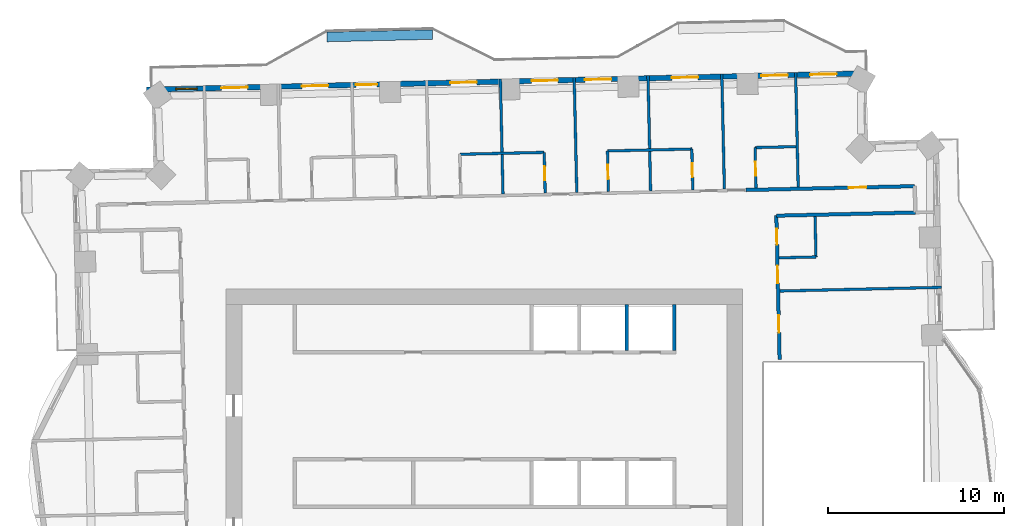
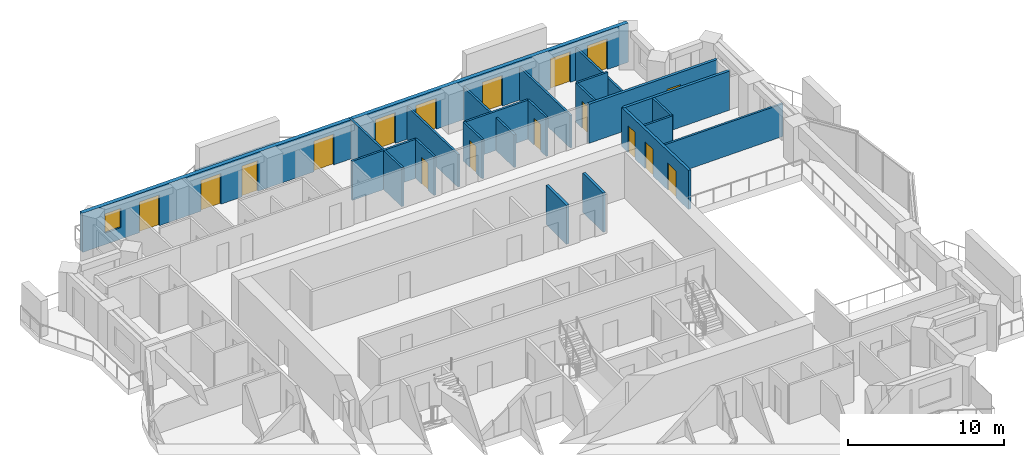
# One storey, part 11 of 16: 22 walls, 17 doors, 1 window, 18 openings.
"""IFC4 building model written with IfcOpenShell, lengths in metres."""

import ifcopenshell
import ifcopenshell.guid

model = None  # the IFC model being written
_history = None  # IfcOwnerHistory: only IFC2X3 demands one
_inside = {}  # id of a spatial element -> (the spatial element, [elements in it])
_under = {}  # id of a project, library or spatial element -> (it, [spatial elements below it])
_declared = {}  # id of a project -> (the project, [libraries it declares])
_typed = {}  # id of a type object -> (the type object, [elements of that type])
_made_of = {}  # id of a material, layer set ... -> (it, [elements and type objects made of it])


def new_model(schema):
    """Start an empty IFC model of exactly this schema.

    Asked for "IFC4X3", IfcOpenShell would pick the latest addendum, in which some entities
    have other attributes; the version numbers below select the first issue.
    IFC2X3 requires an IfcOwnerHistory on every rooted entity: one is made here for all.
    """
    global model, _history
    if schema == "IFC4X3":
        model = ifcopenshell.file(schema_version=(4, 3, 0, 0))
    else:
        model = ifcopenshell.file(schema=schema)
    _inside.clear()
    _under.clear()
    _declared.clear()
    _typed.clear()
    _made_of.clear()
    _history = None
    if model.schema == "IFC2X3":
        org = make("IfcOrganization", Name="unknown")
        user = make(
            "IfcPersonAndOrganization",
            ThePerson=make("IfcPerson", FamilyName="unknown"),
            TheOrganization=org,
        )
        app = make(
            "IfcApplication",
            ApplicationDeveloper=org,
            Version="unknown",
            ApplicationFullName="unknown",
            ApplicationIdentifier="unknown",
        )
        _history = make(
            "IfcOwnerHistory",
            OwningUser=user,
            OwningApplication=app,
            ChangeAction="ADDED",
            CreationDate=0,
        )
    return model


def make(cls, **values):
    """One entity of the class cls with the attributes given. An attribute that is None is left unset."""
    return model.create_entity(
        cls, **{name: value for name, value in values.items() if value is not None}
    )


def rooted(cls, **values):
    """An entity with a GlobalId (a new one), such as an element, a storey or a relation."""
    return make(cls, GlobalId=ifcopenshell.guid.new(), OwnerHistory=_history, **values)


def si_unit(unit_type, name, prefix=None):
    """IfcSIUnit, for example si_unit("LENGTHUNIT", "METRE", prefix="MILLI")."""
    return make("IfcSIUnit", UnitType=unit_type, Prefix=prefix, Name=name)


def assignment(units):
    """IfcUnitAssignment: the units of a project."""
    return None if units is None else make("IfcUnitAssignment", Units=units)


def point(xyz):
    """IfcCartesianPoint."""
    return None if xyz is None else make("IfcCartesianPoint", Coordinates=xyz)


def direction(xyz):
    """IfcDirection."""
    return None if xyz is None else make("IfcDirection", DirectionRatios=xyz)


def frame(location, z_axis=None, x_axis=None):
    """IfcAxis2Placement3D, a coordinate frame: its origin and axes. An axis left out is left unset."""
    return make(
        "IfcAxis2Placement3D",
        Location=point(location),
        Axis=direction(z_axis),
        RefDirection=direction(x_axis),
    )


def frame_2d(location, x_axis=None):
    """IfcAxis2Placement2D, a coordinate frame in the plane: its origin and x axis."""
    return make(
        "IfcAxis2Placement2D", Location=point(location), RefDirection=direction(x_axis)
    )


def origin():
    """The frame at (0, 0, 0) with its axes left unset."""
    return frame((0.0, 0.0, 0.0))


def place(relative_to, where):
    """IfcLocalPlacement: puts the frame where relative to a parent placement (None: the world)."""
    return make(
        "IfcLocalPlacement", PlacementRelTo=relative_to, RelativePlacement=where
    )


def context(
    kind, dimensions, precision=None, world=None, true_north=None, identifier=None
):
    """IfcGeometricRepresentationContext, for example the 3D "Model" context."""
    return make(
        "IfcGeometricRepresentationContext",
        ContextIdentifier=identifier,
        ContextType=kind,
        CoordinateSpaceDimension=dimensions,
        Precision=precision,
        WorldCoordinateSystem=world,
        TrueNorth=true_north,
    )


def subcontext(parent, identifier, kind, view, scale=None):
    """IfcGeometricRepresentationSubContext, for example "Body" below "Model"."""
    return make(
        "IfcGeometricRepresentationSubContext",
        ContextIdentifier=identifier,
        ContextType=kind,
        ParentContext=parent,
        TargetScale=scale,
        TargetView=view,
    )


def project(units=None, contexts=None):
    """IfcProject with its units and contexts."""
    return rooted(
        "IfcProject",
        Name="project",
        RepresentationContexts=contexts,
        UnitsInContext=assignment(units),
    )


def spatial(cls, under=None, at=None, **own):
    """A site, building, storey or space (cls), placed at a placement, below another one or the project."""
    s = rooted(cls, ObjectPlacement=at, **own)
    if under is not None:
        _under.setdefault(under.id(), (under, []))[1].append(s)
    return s


def profile(cls, at=None, kind="AREA", **sizes):
    """A parametric profile (cls). Its sizes go by their IFC names, for example OverallWidth=200.0."""
    return make(cls, ProfileType=kind, Position=at, **sizes)


def rectangle(**sizes):
    """IfcRectangleProfileDef."""
    return profile("IfcRectangleProfileDef", **sizes)


def extrude(swept, where, along, depth):
    """IfcExtrudedAreaSolid: the profile swept, set in the frame where, extruded along a direction by depth."""
    return make(
        "IfcExtrudedAreaSolid",
        SweptArea=swept,
        Position=where,
        ExtrudedDirection=direction(along),
        Depth=depth,
    )


def shape(context_of_items, identifier, shape_type, items):
    """IfcShapeRepresentation: the items that make up one representation, for example the "Body"."""
    return make(
        "IfcShapeRepresentation",
        ContextOfItems=context_of_items,
        RepresentationIdentifier=identifier,
        RepresentationType=shape_type,
        Items=items,
    )


def material(Name=None, Category=None):
    """IfcMaterial."""
    return make("IfcMaterial", Name=Name, Category=Category)


def layer(
    of_material, thickness, ventilated=None, Name=None, Category=None, Priority=None
):
    """IfcMaterialLayer: one layer of a wall or slab, of a material (None: an air gap)."""
    return make(
        "IfcMaterialLayer",
        Material=of_material,
        LayerThickness=thickness,
        IsVentilated=ventilated,
        Name=Name,
        Category=Category,
        Priority=Priority,
    )


def layer_set(layers, Name=None):
    """IfcMaterialLayerSet."""
    return make("IfcMaterialLayerSet", MaterialLayers=layers, LayerSetName=Name)


def made_of(thing, what):
    """Note that an element or type object is made of a material, layer set ...; save() writes the relation."""
    if what is not None:
        _made_of.setdefault(what.id(), (what, []))[1].append(thing)
    return thing


def type_object(cls, material=None, **own):
    """A type object (cls), such as IfcWallType, which elements share."""
    return made_of(rooted(cls, **own), material)


def element(
    cls,
    number,
    at=None,
    inside=None,
    cuts=None,
    type_object=None,
    material=None,
    context=None,
    identifier="Body",
    shape_type=None,
    held_by="IfcProductDefinitionShape",
    body=None,
    shapes=None,
    **own,
):
    """One element of the class cls, such as IfcWall. Its Tag is "e" and its number.

    at: its placement. inside: the storey or other place that contains it. cuts: it is an
    opening in that element (IfcRelVoidsElement). A single representation is given by context,
    identifier, shape_type and body (its items); several are given by shapes. held_by: the class
    of the entity that holds the representations. save() writes the other relations.
    """
    e = rooted(cls, Tag="e%d" % number, ObjectPlacement=at, **own)
    if body is not None:
        shapes = [shape(context, identifier, shape_type, body)]
    if shapes is not None:
        e.Representation = make(held_by, Representations=shapes)
    if inside is not None:
        _inside.setdefault(inside.id(), (inside, []))[1].append(e)
    if cuts is not None:
        rooted(
            "IfcRelVoidsElement", RelatingBuildingElement=cuts, RelatedOpeningElement=e
        )
    if type_object is not None:
        _typed.setdefault(type_object.id(), (type_object, []))[1].append(e)
    return made_of(e, material)


def fill(opening, filler):
    """IfcRelFillsElement: the door or window that sits in an opening."""
    return rooted(
        "IfcRelFillsElement",
        RelatingOpeningElement=opening,
        RelatedBuildingElement=filler,
    )


def aggregate(whole, parts):
    """IfcRelAggregates: a whole, such as a stair, and the parts it consists of."""
    return rooted("IfcRelAggregates", RelatingObject=whole, RelatedObjects=parts)


def save(model, path):
    """Write the relations noted so far, then the file.

    IfcRelAggregates (storeys below a building ...), IfcRelContainedInSpatialStructure (elements
    in a storey), IfcRelDefinesByType, IfcRelAssociatesMaterial and IfcRelDeclares: one each for
    every whole, place, type object, material and project.
    """
    for whole, parts in _under.values():
        aggregate(whole, parts)
    for where, things in _inside.values():
        rooted(
            "IfcRelContainedInSpatialStructure",
            RelatedElements=things,
            RelatingStructure=where,
        )
    for kind, things in _typed.values():
        rooted("IfcRelDefinesByType", RelatedObjects=things, RelatingType=kind)
    for what, things in _made_of.values():
        rooted("IfcRelAssociatesMaterial", RelatedObjects=things, RelatingMaterial=what)
    for by, libraries in _declared.values():
        rooted("IfcRelDeclares", RelatingContext=by, RelatedDefinitions=libraries)
    model.write(path)


model = new_model("IFC4")

# Units and contexts
model_context = context("Model", 3, precision=1e-05, world=origin(), true_north=direction((0.0, 1.0)))
body_context = subcontext(model_context, "Body", "Model", "MODEL_VIEW")
ifc_project = project(units=[si_unit("LENGTHUNIT", "METRE"), si_unit("AREAUNIT", "SQUARE_METRE"), si_unit("VOLUMEUNIT", "CUBIC_METRE"), si_unit("PLANEANGLEUNIT", "RADIAN"), si_unit("MASSUNIT", "GRAM", prefix="KILO")], contexts=[model_context])

# Site, building, storey
site_placement = place(None, origin())
site = spatial("IfcSite", under=ifc_project, at=site_placement, CompositionType="ELEMENT")
building_placement = place(site_placement, origin())
building = spatial("IfcBuilding", under=site, at=building_placement, Name="Mangrove Gate Tower", CompositionType="ELEMENT")
storey_placement = place(building_placement, frame((0.0, 0.0, 189.699951171875)))
storey = spatial("IfcBuildingStorey", under=building, at=storey_placement, Name="L48", CompositionType="ELEMENT", Elevation=189.699951171875)

# Walls
ifc_material_1 = material(Name="Concrete C60/75", Category="concrete")
ifc_layer_1 = layer(ifc_material_1, 0.199951171875)
ifc_layer_set_1 = layer_set([ifc_layer_1], Name="Core shaft wall 200 C60/75")
wall_type_1 = type_object("IfcWallType", Name="Core shaft wall 200 C60/75", PredefinedType="SHEAR", material=ifc_layer_set_1)
for number, where, z_axis, x_axis, name in (
    (1, (8.10009765625, 8.199951171875, 0.0), (0.0, 0.0, 1.0), (0.0, 1.0, 0.0), "WALL-L48-CORE-28"),
    (2, (10.800048828125, 8.199951171875, 0.0), (0.0, 0.0, 1.0), (0.0, 1.0, 0.0), "WALL-L48-CORE-29"),
):
    element("IfcWall", number, at=place(storey_placement, frame(where, z_axis=z_axis, x_axis=x_axis)), inside=storey, type_object=wall_type_1, Name=name, PredefinedType="SHEAR", context=body_context, shape_type="SweptSolid", body=[
        extrude(rectangle(XDim=2.60009765625, YDim=0.199951171875, at=frame_2d((1.300048828125, 0.0))), origin(), (0.0, 0.0, 1.0), 3.050048828125),
    ])

# Wall, openings, doors
ifc_material_2 = material(Name="Gypsum board on steel stud, EI 60", Category="steel")
ifc_layer_2 = layer(ifc_material_2, 0.199951171875)
ifc_layer_set_2 = layer_set([ifc_layer_2], Name="Corridor wall EI 60")
wall_type_2 = type_object("IfcWallType", Name="Corridor wall EI 60", PredefinedType="PARTITIONING", material=ifc_layer_set_2)
wall_1_placement = place(storey_placement, frame((16.797119140625, 7.674072265625, 0.0), z_axis=(0.0, 0.0, 1.0), x_axis=(-0.022698399288, 0.999742358145, 0.0)))
wall_1 = element("IfcWall", 3, at=wall_1_placement, inside=storey, type_object=wall_type_2, Name="WALL-L48-045", PredefinedType="PARTITIONING", context=body_context, shape_type="SweptSolid", body=[
    extrude(rectangle(XDim=8.196044921875, YDim=0.199951171875, at=frame_2d((4.09814453125, 0.0))), origin(), (0.0, 0.0, 1.0), 3.050048828125),
])
opening_1_placement = place(wall_1_placement, frame((1.5390625, 0.0, 0.0)))
opening_1 = element("IfcOpeningElement", 4, at=opening_1_placement, cuts=wall_1, Name="Opening AD", PredefinedType="OPENING", context=body_context, shape_type="SweptSolid", body=[
    extrude(rectangle(XDim=1.0, YDim=2.10009765625, at=frame_2d((0.5, 1.050048828125))), frame((0.0, 0.10986328125, 0.0), z_axis=(0.0, -1.0, 0.0), x_axis=(1.0, 0.0, 0.0)), (0.0, 0.0, 1.0), 0.219970703125),
])
opening_2_placement = place(wall_1_placement, frame((4.35009765625, 0.0, 0.0)))
opening_2 = element("IfcOpeningElement", 5, at=opening_2_placement, cuts=wall_1, Name="Opening AD", PredefinedType="OPENING", context=body_context, shape_type="SweptSolid", body=[
    extrude(rectangle(XDim=1.0, YDim=2.10009765625, at=frame_2d((0.5, 1.050048828125))), frame((0.0, 0.10986328125, 0.0), z_axis=(0.0, -1.0, 0.0), x_axis=(1.0, 0.0, 0.0)), (0.0, 0.0, 1.0), 0.219970703125),
])
opening_3_placement = place(wall_1_placement, frame((6.5458984375, 0.0, 0.0)))
opening_3 = element("IfcOpeningElement", 6, at=opening_3_placement, cuts=wall_1, Name="Opening SD", PredefinedType="OPENING", context=body_context, shape_type="SweptSolid", body=[
    extrude(rectangle(XDim=0.89990234375, YDim=2.10009765625, at=frame_2d((0.449951171875, 1.050048828125))), frame((0.0, 0.10986328125, 0.0), z_axis=(0.0, -1.0, 0.0), x_axis=(1.0, 0.0, 0.0)), (0.0, 0.0, 1.0), 0.219970703125),
])
ifc_material_3 = material(Name="Timber door leaf", Category="wood")
door_type_1 = type_object("IfcDoorType", Name="Amenity door 1000", OperationType="SINGLE_SWING_LEFT", PredefinedType="DOOR", material=ifc_material_3)
door_1_placement = place(opening_1_placement, origin())
door_1 = element("IfcDoor", 7, at=door_1_placement, inside=storey, type_object=door_type_1, Name="DOOR-L48-KIT-c3c", OperationType="SINGLE_SWING_RIGHT", OverallHeight=2.10009765625, OverallWidth=1.0, PredefinedType="DOOR", context=body_context, shape_type="SweptSolid", body=[
    extrude(rectangle(XDim=1.0, YDim=2.10009765625, at=frame_2d((0.5, 1.050048828125))), frame((0.0, 0.02490234375, 0.0), z_axis=(0.0, -1.0, 0.0), x_axis=(1.0, 0.0, 0.0)), (0.0, 0.0, 1.0), 0.050048828125),
])
fill(opening_1, door_1)
door_2_placement = place(opening_2_placement, origin())
door_2 = element("IfcDoor", 8, at=door_2_placement, inside=storey, type_object=door_type_1, Name="DOOR-L48-GAM-c3a", OperationType="SINGLE_SWING_LEFT", OverallHeight=2.10009765625, OverallWidth=1.0, PredefinedType="DOOR", context=body_context, shape_type="SweptSolid", body=[
    extrude(rectangle(XDim=1.0, YDim=2.10009765625, at=frame_2d((0.5, 1.050048828125))), frame((0.0, 0.02490234375, 0.0), z_axis=(0.0, -1.0, 0.0), x_axis=(1.0, 0.0, 0.0)), (0.0, 0.0, 1.0), 0.050048828125),
])
fill(opening_2, door_2)
ifc_material_4 = material(Name="Timber door leaf", Category="wood")
door_type_2 = type_object("IfcDoorType", Name="Service room door 900", OperationType="SINGLE_SWING_LEFT", PredefinedType="DOOR", material=ifc_material_4)
door_3_placement = place(opening_3_placement, origin())
door_3 = element("IfcDoor", 9, at=door_3_placement, inside=storey, type_object=door_type_2, Name="DOOR-L48-LIN-c3b", OperationType="SINGLE_SWING_LEFT", OverallHeight=2.10009765625, OverallWidth=0.89990234375, PredefinedType="DOOR", context=body_context, shape_type="SweptSolid", body=[
    extrude(rectangle(XDim=0.89990234375, YDim=2.10009765625, at=frame_2d((0.449951171875, 1.050048828125))), frame((0.0, 0.02490234375, 0.0), z_axis=(0.0, -1.0, 0.0), x_axis=(1.0, 0.0, 0.0)), (0.0, 0.0, 1.0), 0.050048828125),
])
fill(opening_3, door_3)

# Wall
wall_2_placement = place(storey_placement, frame((16.612060546875, 15.864013671875, 0.0), z_axis=(0.0, 0.0, 1.0), x_axis=(0.999741181744, 0.022750154412, 0.0)))
element("IfcWall", 10, at=wall_2_placement, inside=storey, type_object=wall_type_2, Name="WALL-L48-054", PredefinedType="PARTITIONING", context=body_context, shape_type="SweptSolid", body=[
    extrude(rectangle(XDim=7.908935546875, YDim=0.199951171875, at=frame_2d((3.95458984375, 0.0))), origin(), (0.0, 0.0, 1.0), 3.050048828125),
])

# Wall, opening, door
wall_3_placement = place(storey_placement, frame((14.8798828125, 17.324951171875, 0.0), z_axis=(0.0, 0.0, 1.0), x_axis=(0.999742504166, 0.022691966963, 0.0)))
wall_3 = element("IfcWall", 11, at=wall_3_placement, inside=storey, type_object=wall_type_2, Name="WALL-L48-060", PredefinedType="PARTITIONING", context=body_context, shape_type="SweptSolid", body=[
    extrude(rectangle(XDim=9.607666015625, YDim=0.199951171875, at=frame_2d((4.8037109375, 0.0))), origin(), (0.0, 0.0, 1.0), 3.050048828125),
])
opening_4_placement = place(wall_3_placement, frame((5.85009765625, 0.0, 0.0)))
opening_4 = element("IfcOpeningElement", 12, at=opening_4_placement, cuts=wall_3, Name="Opening AD", PredefinedType="OPENING", context=body_context, shape_type="SweptSolid", body=[
    extrude(rectangle(XDim=1.0, YDim=2.10009765625, at=frame_2d((0.5, 1.050048828125))), frame((0.0, 0.10986328125, 0.0), z_axis=(0.0, -1.0, 0.0), x_axis=(1.0, 0.0, 0.0)), (0.0, 0.0, 1.0), 0.219970703125),
])
door_4_placement = place(opening_4_placement, origin())
door_4 = element("IfcDoor", 13, at=door_4_placement, inside=storey, type_object=door_type_1, Name="DOOR-L48-GAM-c3b", OperationType="SINGLE_SWING_RIGHT", OverallHeight=2.10009765625, OverallWidth=1.0, PredefinedType="DOOR", context=body_context, shape_type="SweptSolid", body=[
    extrude(rectangle(XDim=1.0, YDim=2.10009765625, at=frame_2d((0.5, 1.050048828125))), frame((0.0, 0.02490234375, 0.0), z_axis=(0.0, -1.0, 0.0), x_axis=(1.0, 0.0, 0.0)), (0.0, 0.0, 1.0), 0.050048828125),
])
fill(opening_4, door_4)

# Wall, openings, doors, window
ifc_material_5 = material(Name="Limestone", Category="masonry")
ifc_layer_3 = layer(ifc_material_5, 0.0400390625, Name="Limestone cladding")
ifc_material_6 = material(Name="Ventilated air gap")
ifc_layer_4 = layer(ifc_material_6, 0.0400390625, Name="Ventilated cavity")
ifc_material_7 = material(Name="Mineral wool insulation")
ifc_layer_5 = layer(ifc_material_7, 0.06005859375, Name="Insulation")
ifc_material_8 = material(Name="Breather membrane")
ifc_layer_6 = layer(ifc_material_8, 0.001953125, Name="Breather membrane")
ifc_material_9 = material(Name="Concrete C20/25 blockwork", Category="masonry")
ifc_layer_7 = layer(ifc_material_9, 0.14990234375, Name="Blockwork backing wall")
ifc_material_10 = material(Name="Gypsum plaster")
ifc_layer_8 = layer(ifc_material_10, 0.008056640625, Name="Internal plaster")
ifc_layer_set_3 = layer_set([ifc_layer_3, ifc_layer_4, ifc_layer_5, ifc_layer_6, ifc_layer_7, ifc_layer_8], Name="External wall 300 limestone cladding")
wall_type_3 = type_object("IfcWallType", Name="External wall 300 limestone cladding", PredefinedType="SOLIDWALL", material=ifc_layer_set_3)
wall_4_placement = place(storey_placement, frame((21.589111328125, 23.958984375, 0.0), z_axis=(0.0, 0.0, 1.0), x_axis=(-0.999742668524, -0.022684724649, 0.0)))
wall_4 = element("IfcWall", 14, at=wall_4_placement, inside=storey, type_object=wall_type_3, Name="WALL-L48-N5s1", PredefinedType="SOLIDWALL", context=body_context, shape_type="SweptSolid", body=[
    extrude(rectangle(XDim=40.821533203125, YDim=0.300048828125, at=frame_2d((20.41064453125, 0.0))), origin(), (0.0, 0.0, 1.0), 3.050048828125),
])
opening_5_placement = place(wall_4_placement, frame((1.552978515625, 0.0, 0.0)))
opening_5 = element("IfcOpeningElement", 15, at=opening_5_placement, cuts=wall_4, Name="Opening BD1", PredefinedType="OPENING", context=body_context, shape_type="SweptSolid", body=[
    extrude(rectangle(XDim=1.5, YDim=2.39990234375, at=frame_2d((0.75, 1.199951171875))), frame((0.0, 0.159912109375, 0.0), z_axis=(0.0, -1.0, 0.0), x_axis=(1.0, 0.0, 0.0)), (0.0, 0.0, 1.0), 0.320068359375),
])
opening_6_placement = place(wall_4_placement, frame((4.330078125, 0.0, 0.0)))
opening_6 = element("IfcOpeningElement", 16, at=opening_6_placement, cuts=wall_4, Name="Opening BD1", PredefinedType="OPENING", context=body_context, shape_type="SweptSolid", body=[
    extrude(rectangle(XDim=1.5, YDim=2.39990234375, at=frame_2d((0.75, 1.199951171875))), frame((0.0, 0.159912109375, 0.0), z_axis=(0.0, -1.0, 0.0), x_axis=(1.0, 0.0, 0.0)), (0.0, 0.0, 1.0), 0.320068359375),
])
opening_7_placement = place(wall_4_placement, frame((9.429931640625, 0.0, 0.0)))
opening_7 = element("IfcOpeningElement", 17, at=opening_7_placement, cuts=wall_4, Name="Opening BD1", PredefinedType="OPENING", context=body_context, shape_type="SweptSolid", body=[
    extrude(rectangle(XDim=1.5, YDim=2.39990234375, at=frame_2d((0.75, 1.199951171875))), frame((0.0, 0.159912109375, 0.0), z_axis=(0.0, -1.0, 0.0), x_axis=(1.0, 0.0, 0.0)), (0.0, 0.0, 1.0), 0.320068359375),
])
opening_8_placement = place(wall_4_placement, frame((14.3701171875, 0.0, 0.0)))
opening_8 = element("IfcOpeningElement", 18, at=opening_8_placement, cuts=wall_4, Name="Opening BD1", PredefinedType="OPENING", context=body_context, shape_type="SweptSolid", body=[
    extrude(rectangle(XDim=1.5, YDim=2.39990234375, at=frame_2d((0.75, 1.199951171875))), frame((0.0, 0.159912109375, 0.0), z_axis=(0.0, -1.0, 0.0), x_axis=(1.0, 0.0, 0.0)), (0.0, 0.0, 1.0), 0.320068359375),
])
opening_9_placement = place(wall_4_placement, frame((17.409912109375, 0.0, 0.0)))
opening_9 = element("IfcOpeningElement", 19, at=opening_9_placement, cuts=wall_4, Name="Opening BD1", PredefinedType="OPENING", context=body_context, shape_type="SweptSolid", body=[
    extrude(rectangle(XDim=1.5, YDim=2.39990234375, at=frame_2d((0.75, 1.199951171875))), frame((0.0, 0.159912109375, 0.0), z_axis=(0.0, -1.0, 0.0), x_axis=(1.0, 0.0, 0.0)), (0.0, 0.0, 1.0), 0.320068359375),
])
opening_10_placement = place(wall_4_placement, frame((22.030029296875, 0.0, 0.0)))
opening_10 = element("IfcOpeningElement", 20, at=opening_10_placement, cuts=wall_4, Name="Opening BD1", PredefinedType="OPENING", context=body_context, shape_type="SweptSolid", body=[
    extrude(rectangle(XDim=1.5, YDim=2.39990234375, at=frame_2d((0.75, 1.199951171875))), frame((0.0, 0.159912109375, 0.0), z_axis=(0.0, -1.0, 0.0), x_axis=(1.0, 0.0, 0.0)), (0.0, 0.0, 1.0), 0.320068359375),
])
opening_11_placement = place(wall_4_placement, frame((27.699951171875, 0.0, 0.0)))
opening_11 = element("IfcOpeningElement", 21, at=opening_11_placement, cuts=wall_4, Name="Opening BD2", PredefinedType="OPENING", context=body_context, shape_type="SweptSolid", body=[
    extrude(rectangle(XDim=1.199951171875, YDim=2.39990234375, at=frame_2d((0.60009765625, 1.199951171875))), frame((0.0, 0.159912109375, 0.0), z_axis=(0.0, -1.0, 0.0), x_axis=(1.0, 0.0, 0.0)), (0.0, 0.0, 1.0), 0.320068359375),
])
opening_12_placement = place(wall_4_placement, frame((30.47998046875, 0.0, 0.0)))
opening_12 = element("IfcOpeningElement", 22, at=opening_12_placement, cuts=wall_4, Name="Opening BD1", PredefinedType="OPENING", context=body_context, shape_type="SweptSolid", body=[
    extrude(rectangle(XDim=1.5, YDim=2.39990234375, at=frame_2d((0.75, 1.199951171875))), frame((0.0, 0.159912109375, 0.0), z_axis=(0.0, -1.0, 0.0), x_axis=(1.0, 0.0, 0.0)), (0.0, 0.0, 1.0), 0.320068359375),
])
opening_13_placement = place(wall_4_placement, frame((35.06494140625, 0.0, 0.0)))
opening_13 = element("IfcOpeningElement", 23, at=opening_13_placement, cuts=wall_4, Name="Opening BD1", PredefinedType="OPENING", context=body_context, shape_type="SweptSolid", body=[
    extrude(rectangle(XDim=1.5, YDim=2.39990234375, at=frame_2d((0.75, 1.199951171875))), frame((0.0, 0.159912109375, 0.0), z_axis=(0.0, -1.0, 0.0), x_axis=(1.0, 0.0, 0.0)), (0.0, 0.0, 1.0), 0.320068359375),
])
opening_14_placement = place(wall_4_placement, frame((37.945068359375, 0.0, 0.89990234375)))
opening_14 = element("IfcOpeningElement", 24, at=opening_14_placement, cuts=wall_4, Name="Opening W1", PredefinedType="OPENING", context=body_context, shape_type="SweptSolid", body=[
    extrude(rectangle(XDim=1.199951171875, YDim=1.5, at=frame_2d((0.60009765625, 0.75))), frame((0.0, 0.159912109375, 0.0), z_axis=(0.0, -1.0, 0.0), x_axis=(1.0, 0.0, 0.0)), (0.0, 0.0, 1.0), 0.320068359375),
])
ifc_material_11 = material(Name="Aluminium frame with laminated clear glass", Category="aluminium")
door_type_3 = type_object("IfcDoorType", Name="Balcony sliding door 1200x2400", OperationType="SLIDING_TO_LEFT", PredefinedType="DOOR", material=ifc_material_11)
door_5_placement = place(opening_11_placement, origin())
door_5 = element("IfcDoor", 25, at=door_5_placement, inside=storey, type_object=door_type_3, Name="DOOR-L48-N5-7", OperationType="SLIDING_TO_LEFT", OverallHeight=2.39990234375, OverallWidth=1.199951171875, PredefinedType="DOOR", context=body_context, shape_type="SweptSolid", body=[
    extrude(rectangle(XDim=1.199951171875, YDim=2.39990234375, at=frame_2d((0.60009765625, 1.199951171875))), frame((0.0, 0.02490234375, 0.0), z_axis=(0.0, -1.0, 0.0), x_axis=(1.0, 0.0, 0.0)), (0.0, 0.0, 1.0), 0.050048828125),
])
fill(opening_11, door_5)
ifc_material_12 = material(Name="Aluminium frame with laminated clear glass", Category="aluminium")
door_type_4 = type_object("IfcDoorType", Name="Balcony sliding door 1500x2400", OperationType="SLIDING_TO_LEFT", PredefinedType="DOOR", material=ifc_material_12)
door_6_placement = place(opening_5_placement, origin())
door_6 = element("IfcDoor", 26, at=door_6_placement, inside=storey, type_object=door_type_4, Name="DOOR-L48-N5-1", OperationType="SLIDING_TO_LEFT", OverallHeight=2.39990234375, OverallWidth=1.5, PredefinedType="DOOR", context=body_context, shape_type="SweptSolid", body=[
    extrude(rectangle(XDim=1.5, YDim=2.39990234375, at=frame_2d((0.75, 1.199951171875))), frame((0.0, 0.02490234375, 0.0), z_axis=(0.0, -1.0, 0.0), x_axis=(1.0, 0.0, 0.0)), (0.0, 0.0, 1.0), 0.050048828125),
])
fill(opening_5, door_6)
door_7_placement = place(opening_6_placement, origin())
door_7 = element("IfcDoor", 27, at=door_7_placement, inside=storey, type_object=door_type_4, Name="DOOR-L48-N5-2", OperationType="SLIDING_TO_LEFT", OverallHeight=2.39990234375, OverallWidth=1.5, PredefinedType="DOOR", context=body_context, shape_type="SweptSolid", body=[
    extrude(rectangle(XDim=1.5, YDim=2.39990234375, at=frame_2d((0.75, 1.199951171875))), frame((0.0, 0.02490234375, 0.0), z_axis=(0.0, -1.0, 0.0), x_axis=(1.0, 0.0, 0.0)), (0.0, 0.0, 1.0), 0.050048828125),
])
fill(opening_6, door_7)
door_8_placement = place(opening_7_placement, origin())
door_8 = element("IfcDoor", 28, at=door_8_placement, inside=storey, type_object=door_type_4, Name="DOOR-L48-N5-3", OperationType="SLIDING_TO_LEFT", OverallHeight=2.39990234375, OverallWidth=1.5, PredefinedType="DOOR", context=body_context, shape_type="SweptSolid", body=[
    extrude(rectangle(XDim=1.5, YDim=2.39990234375, at=frame_2d((0.75, 1.199951171875))), frame((0.0, 0.02490234375, 0.0), z_axis=(0.0, -1.0, 0.0), x_axis=(1.0, 0.0, 0.0)), (0.0, 0.0, 1.0), 0.050048828125),
])
fill(opening_7, door_8)
door_9_placement = place(opening_8_placement, origin())
door_9 = element("IfcDoor", 29, at=door_9_placement, inside=storey, type_object=door_type_4, Name="DOOR-L48-N5-4", OperationType="SLIDING_TO_LEFT", OverallHeight=2.39990234375, OverallWidth=1.5, PredefinedType="DOOR", context=body_context, shape_type="SweptSolid", body=[
    extrude(rectangle(XDim=1.5, YDim=2.39990234375, at=frame_2d((0.75, 1.199951171875))), frame((0.0, 0.02490234375, 0.0), z_axis=(0.0, -1.0, 0.0), x_axis=(1.0, 0.0, 0.0)), (0.0, 0.0, 1.0), 0.050048828125),
])
fill(opening_8, door_9)
door_10_placement = place(opening_9_placement, origin())
door_10 = element("IfcDoor", 30, at=door_10_placement, inside=storey, type_object=door_type_4, Name="DOOR-L48-N5-5", OperationType="SLIDING_TO_LEFT", OverallHeight=2.39990234375, OverallWidth=1.5, PredefinedType="DOOR", context=body_context, shape_type="SweptSolid", body=[
    extrude(rectangle(XDim=1.5, YDim=2.39990234375, at=frame_2d((0.75, 1.199951171875))), frame((0.0, 0.02490234375, 0.0), z_axis=(0.0, -1.0, 0.0), x_axis=(1.0, 0.0, 0.0)), (0.0, 0.0, 1.0), 0.050048828125),
])
fill(opening_9, door_10)
door_11_placement = place(opening_10_placement, origin())
door_11 = element("IfcDoor", 31, at=door_11_placement, inside=storey, type_object=door_type_4, Name="DOOR-L48-N5-6", OperationType="SLIDING_TO_LEFT", OverallHeight=2.39990234375, OverallWidth=1.5, PredefinedType="DOOR", context=body_context, shape_type="SweptSolid", body=[
    extrude(rectangle(XDim=1.5, YDim=2.39990234375, at=frame_2d((0.75, 1.199951171875))), frame((0.0, 0.02490234375, 0.0), z_axis=(0.0, -1.0, 0.0), x_axis=(1.0, 0.0, 0.0)), (0.0, 0.0, 1.0), 0.050048828125),
])
fill(opening_10, door_11)
door_12_placement = place(opening_12_placement, origin())
door_12 = element("IfcDoor", 32, at=door_12_placement, inside=storey, type_object=door_type_4, Name="DOOR-L48-N5-8", OperationType="SLIDING_TO_LEFT", OverallHeight=2.39990234375, OverallWidth=1.5, PredefinedType="DOOR", context=body_context, shape_type="SweptSolid", body=[
    extrude(rectangle(XDim=1.5, YDim=2.39990234375, at=frame_2d((0.75, 1.199951171875))), frame((0.0, 0.02490234375, 0.0), z_axis=(0.0, -1.0, 0.0), x_axis=(1.0, 0.0, 0.0)), (0.0, 0.0, 1.0), 0.050048828125),
])
fill(opening_12, door_12)
door_13_placement = place(opening_13_placement, origin())
door_13 = element("IfcDoor", 33, at=door_13_placement, inside=storey, type_object=door_type_4, Name="DOOR-L48-N5-9", OperationType="SLIDING_TO_LEFT", OverallHeight=2.39990234375, OverallWidth=1.5, PredefinedType="DOOR", context=body_context, shape_type="SweptSolid", body=[
    extrude(rectangle(XDim=1.5, YDim=2.39990234375, at=frame_2d((0.75, 1.199951171875))), frame((0.0, 0.02490234375, 0.0), z_axis=(0.0, -1.0, 0.0), x_axis=(1.0, 0.0, 0.0)), (0.0, 0.0, 1.0), 0.050048828125),
])
fill(opening_13, door_13)
ifc_material_13 = material(Name="Aluminium frame with double-glazed low-e glass", Category="aluminium")
window_type = type_object("IfcWindowType", Name="Side lite 1200x1500", PartitioningType="SINGLE_PANEL", PredefinedType="WINDOW", material=ifc_material_13)
window_placement = place(opening_14_placement, origin())
window = element("IfcWindow", 34, at=window_placement, inside=storey, type_object=window_type, Name="WIN-L48-N5-10", OverallHeight=1.5, OverallWidth=1.199951171875, PartitioningType="SINGLE_PANEL", PredefinedType="WINDOW", context=body_context, shape_type="SweptSolid", body=[
    extrude(rectangle(XDim=1.199951171875, YDim=1.5, at=frame_2d((0.60009765625, 0.75))), frame((0.0, 0.030029296875, 0.0), z_axis=(0.0, -1.0, 0.0), x_axis=(1.0, 0.0, 0.0)), (0.0, 0.0, 1.0), 0.06005859375),
])
fill(opening_14, window)

# Walls
ifc_material_14 = material(Name="Gypsum board on steel stud, EI 60", Category="steel")
ifc_layer_9 = layer(ifc_material_14, 0.14990234375)
ifc_layer_set_4 = layer_set([ifc_layer_9], Name="Party wall 150 EI 60")
wall_type_4 = type_object("IfcWallType", Name="Party wall 150 EI 60", PredefinedType="PARTITIONING", material=ifc_layer_set_4)
wall_5_placement = place(storey_placement, frame((16.81005859375, 11.577880859375, 0.0), z_axis=(0.0, 0.0, 1.0), x_axis=(0.999741835545, 0.022721405353, 0.0)))
element("IfcWall", 35, at=wall_5_placement, inside=storey, type_object=wall_type_4, Name="WALL-L48-047", PredefinedType="PARTITIONING", context=body_context, shape_type="SweptSolid", body=[
    extrude(rectangle(XDim=9.20849609375, YDim=0.14990234375, at=frame_2d((4.604248046875, 0.0))), origin(), (0.0, 0.0, 1.0), 2.550048828125),
])
wall_6_placement = place(storey_placement, frame((16.76708984375, 13.467041015625, 0.0), z_axis=(0.0, 0.0, 1.0), x_axis=(0.999740212033, 0.022792727877, 0.0)))
element("IfcWall", 36, at=wall_6_placement, inside=storey, type_object=wall_type_4, Name="WALL-L48-049", PredefinedType="PARTITIONING", context=body_context, shape_type="SweptSolid", body=[
    extrude(rectangle(XDim=2.099365234375, YDim=0.14990234375, at=frame_2d((1.0498046875, 0.0))), origin(), (0.0, 0.0, 1.0), 3.050048828125),
])
wall_7_placement = place(storey_placement, frame((18.864990234375, 13.51904296875, 0.0), z_axis=(0.0, 0.0, 1.0), x_axis=(-0.022612884682, 0.999744296031, 0.0)))
element("IfcWall", 37, at=wall_7_placement, inside=storey, type_object=wall_type_4, Name="WALL-L48-051", PredefinedType="PARTITIONING", context=body_context, shape_type="SweptSolid", body=[
    extrude(rectangle(XDim=2.299560546875, YDim=0.14990234375, at=frame_2d((1.14990234375, 0.0))), origin(), (0.0, 0.0, 1.0), 3.050048828125),
])
wall_8_placement = place(storey_placement, frame((1.06005859375, 17.091064453125, 0.0), z_axis=(0.0, 0.0, 1.0), x_axis=(-0.022772202332, 0.999740679777, 0.0)))
element("IfcWall", 38, at=wall_8_placement, inside=storey, type_object=wall_type_4, Name="WALL-L48-069", PredefinedType="PARTITIONING", context=body_context, shape_type="SweptSolid", body=[
    extrude(rectangle(XDim=6.550537109375, YDim=0.14990234375, at=frame_2d((3.275390625, 0.0))), origin(), (0.0, 0.0, 1.0), 3.050048828125),
])

# Wall, opening, door
wall_9_placement = place(storey_placement, frame((3.458984375, 17.14501953125, 0.0), z_axis=(0.0, 0.0, 1.0), x_axis=(-0.022781023197, 0.999740478815, 0.0)))
wall_9 = element("IfcWall", 39, at=wall_9_placement, inside=storey, type_object=wall_type_4, Name="WALL-L48-070", PredefinedType="PARTITIONING", context=body_context, shape_type="SweptSolid", body=[
    extrude(rectangle(XDim=2.325439453125, YDim=0.14990234375, at=frame_2d((1.16259765625, 0.0))), origin(), (0.0, 0.0, 1.0), 3.050048828125),
])
opening_15_placement = place(wall_9_placement, frame((0.72509765625, 0.0, 0.0)))
opening_15 = element("IfcOpeningElement", 40, at=opening_15_placement, cuts=wall_9, Name="Opening ED", PredefinedType="OPENING", context=body_context, shape_type="SweptSolid", body=[
    extrude(rectangle(XDim=0.800048828125, YDim=2.10009765625, at=frame_2d((0.39990234375, 1.050048828125))), frame((0.0, 0.0849609375, 0.0), z_axis=(0.0, -1.0, 0.0), x_axis=(1.0, 0.0, 0.0)), (0.0, 0.0, 1.0), 0.169921875),
])
ifc_material_15 = material(Name="Timber door leaf", Category="wood")
door_type_5 = type_object("IfcDoorType", Name="En-suite door 800", OperationType="SINGLE_SWING_LEFT", PredefinedType="DOOR", material=ifc_material_15)
door_14_placement = place(opening_15_placement, origin())
door_14 = element("IfcDoor", 41, at=door_14_placement, inside=storey, type_object=door_type_5, Name="DOOR-L48-ENS-c411", OperationType="SINGLE_SWING_LEFT", OverallHeight=2.10009765625, OverallWidth=0.800048828125, PredefinedType="DOOR", context=body_context, shape_type="SweptSolid", body=[
    extrude(rectangle(XDim=0.800048828125, YDim=2.10009765625, at=frame_2d((0.39990234375, 1.050048828125))), frame((0.0, 0.02490234375, 0.0), z_axis=(0.0, -1.0, 0.0), x_axis=(1.0, 0.0, 0.0)), (0.0, 0.0, 1.0), 0.050048828125),
])
fill(opening_15, door_14)

# Wall
wall_10_placement = place(storey_placement, frame((5.258056640625, 17.18603515625, 0.0), z_axis=(0.0, 0.0, 1.0), x_axis=(-0.022585104341, 0.999744923999, 0.0)))
element("IfcWall", 42, at=wall_10_placement, inside=storey, type_object=wall_type_4, Name="WALL-L48-071", PredefinedType="PARTITIONING", context=body_context, shape_type="SweptSolid", body=[
    extrude(rectangle(XDim=6.55078125, YDim=0.14990234375, at=frame_2d((3.275390625, 0.0))), origin(), (0.0, 0.0, 1.0), 2.550048828125),
])

# Wall, opening, door
wall_11_placement = place(storey_placement, frame((7.05810546875, 17.22705078125, 0.0), z_axis=(0.0, 0.0, 1.0), x_axis=(-0.022895561926, 0.999737862264, 0.0)))
wall_11 = element("IfcWall", 43, at=wall_11_placement, inside=storey, type_object=wall_type_4, Name="WALL-L48-072", PredefinedType="PARTITIONING", context=body_context, shape_type="SweptSolid", body=[
    extrude(rectangle(XDim=2.324462890625, YDim=0.14990234375, at=frame_2d((1.162109375, 0.0))), origin(), (0.0, 0.0, 1.0), 3.050048828125),
])
opening_16_placement = place(wall_11_placement, frame((0.72509765625, 0.0, 0.0)))
opening_16 = element("IfcOpeningElement", 44, at=opening_16_placement, cuts=wall_11, Name="Opening ED", PredefinedType="OPENING", context=body_context, shape_type="SweptSolid", body=[
    extrude(rectangle(XDim=0.800048828125, YDim=2.10009765625, at=frame_2d((0.39990234375, 1.050048828125))), frame((0.0, 0.0849609375, 0.0), z_axis=(0.0, -1.0, 0.0), x_axis=(1.0, 0.0, 0.0)), (0.0, 0.0, 1.0), 0.169921875),
])
door_15_placement = place(opening_16_placement, origin())
door_15 = element("IfcDoor", 45, at=door_15_placement, inside=storey, type_object=door_type_5, Name="DOOR-L48-ENS-c410", OperationType="SINGLE_SWING_RIGHT", OverallHeight=2.10009765625, OverallWidth=0.800048828125, PredefinedType="DOOR", context=body_context, shape_type="SweptSolid", body=[
    extrude(rectangle(XDim=0.800048828125, YDim=2.10009765625, at=frame_2d((0.39990234375, 1.050048828125))), frame((0.0, 0.02490234375, 0.0), z_axis=(0.0, -1.0, 0.0), x_axis=(1.0, 0.0, 0.0)), (0.0, 0.0, 1.0), 0.050048828125),
])
fill(opening_16, door_15)

# Wall
wall_12_placement = place(storey_placement, frame((9.45703125, 17.281005859375, 0.0), z_axis=(0.0, 0.0, 1.0), x_axis=(-0.022581738791, 0.999745000024, 0.0)))
element("IfcWall", 46, at=wall_12_placement, inside=storey, type_object=wall_type_4, Name="WALL-L48-073", PredefinedType="PARTITIONING", context=body_context, shape_type="SweptSolid", body=[
    extrude(rectangle(XDim=6.5517578125, YDim=0.14990234375, at=frame_2d((3.27587890625, 0.0))), origin(), (0.0, 0.0, 1.0), 2.550048828125),
])

# Wall, opening, door
wall_13_placement = place(storey_placement, frame((11.85693359375, 17.3359375, 0.0), z_axis=(0.0, 0.0, 1.0), x_axis=(-0.02279059109, 0.999740260747, 0.0)))
wall_13 = element("IfcWall", 47, at=wall_13_placement, inside=storey, type_object=wall_type_4, Name="WALL-L48-074", PredefinedType="PARTITIONING", context=body_context, shape_type="SweptSolid", body=[
    extrude(rectangle(XDim=2.324462890625, YDim=0.14990234375, at=frame_2d((1.162109375, 0.0))), origin(), (0.0, 0.0, 1.0), 3.050048828125),
])
opening_17_placement = place(wall_13_placement, frame((0.72509765625, 0.0, 0.0)))
opening_17 = element("IfcOpeningElement", 48, at=opening_17_placement, cuts=wall_13, Name="Opening ED", PredefinedType="OPENING", context=body_context, shape_type="SweptSolid", body=[
    extrude(rectangle(XDim=0.800048828125, YDim=2.10009765625, at=frame_2d((0.39990234375, 1.050048828125))), frame((0.0, 0.0849609375, 0.0), z_axis=(0.0, -1.0, 0.0), x_axis=(1.0, 0.0, 0.0)), (0.0, 0.0, 1.0), 0.169921875),
])
door_16_placement = place(opening_17_placement, origin())
door_16 = element("IfcDoor", 49, at=door_16_placement, inside=storey, type_object=door_type_5, Name="DOOR-L48-ENS-c309", OperationType="SINGLE_SWING_LEFT", OverallHeight=2.10009765625, OverallWidth=0.800048828125, PredefinedType="DOOR", context=body_context, shape_type="SweptSolid", body=[
    extrude(rectangle(XDim=0.800048828125, YDim=2.10009765625, at=frame_2d((0.39990234375, 1.050048828125))), frame((0.0, 0.02490234375, 0.0), z_axis=(0.0, -1.0, 0.0), x_axis=(1.0, 0.0, 0.0)), (0.0, 0.0, 1.0), 0.050048828125),
])
fill(opening_17, door_16)

# Wall
wall_14_placement = place(storey_placement, frame((13.656005859375, 17.376953125, 0.0), z_axis=(0.0, 0.0, 1.0), x_axis=(-0.022585104341, 0.999744923999, 0.0)))
element("IfcWall", 50, at=wall_14_placement, inside=storey, type_object=wall_type_4, Name="WALL-L48-075", PredefinedType="PARTITIONING", context=body_context, shape_type="SweptSolid", body=[
    extrude(rectangle(XDim=6.55078125, YDim=0.14990234375, at=frame_2d((3.275390625, 0.0))), origin(), (0.0, 0.0, 1.0), 2.550048828125),
])

# Wall, opening, door
wall_15_placement = place(storey_placement, frame((15.455078125, 17.44189453125, 0.0), z_axis=(0.0, 0.0, 1.0), x_axis=(-0.022603288534, 0.999744513037, 0.0)))
wall_15 = element("IfcWall", 51, at=wall_15_placement, inside=storey, type_object=wall_type_4, Name="WALL-L48-076", PredefinedType="PARTITIONING", context=body_context, shape_type="SweptSolid", body=[
    extrude(rectangle(XDim=2.300537109375, YDim=0.14990234375, at=frame_2d((1.150390625, 0.0))), origin(), (0.0, 0.0, 1.0), 3.050048828125),
])
opening_18_placement = place(wall_15_placement, frame((0.699951171875, 0.0, 0.0)))
opening_18 = element("IfcOpeningElement", 52, at=opening_18_placement, cuts=wall_15, Name="Opening ED", PredefinedType="OPENING", context=body_context, shape_type="SweptSolid", body=[
    extrude(rectangle(XDim=0.800048828125, YDim=2.10009765625, at=frame_2d((0.39990234375, 1.050048828125))), frame((0.0, 0.0849609375, 0.0), z_axis=(0.0, -1.0, 0.0), x_axis=(1.0, 0.0, 0.0)), (0.0, 0.0, 1.0), 0.169921875),
])
door_17_placement = place(opening_18_placement, origin())
door_17 = element("IfcDoor", 53, at=door_17_placement, inside=storey, type_object=door_type_5, Name="DOOR-L48-ENS-c308", OperationType="SINGLE_SWING_RIGHT", OverallHeight=2.10009765625, OverallWidth=0.800048828125, PredefinedType="DOOR", context=body_context, shape_type="SweptSolid", body=[
    extrude(rectangle(XDim=0.800048828125, YDim=2.10009765625, at=frame_2d((0.39990234375, 1.050048828125))), frame((0.0, 0.02490234375, 0.0), z_axis=(0.0, -1.0, 0.0), x_axis=(1.0, 0.0, 0.0)), (0.0, 0.0, 1.0), 0.050048828125),
])
fill(opening_18, door_17)

# Walls
wall_16_placement = place(storey_placement, frame((17.85498046875, 17.4970703125, 0.0), z_axis=(0.0, 0.0, 1.0), x_axis=(-0.022672114006, 0.999742954587, 0.0)))
element("IfcWall", 54, at=wall_16_placement, inside=storey, type_object=wall_type_4, Name="WALL-L48-077", PredefinedType="PARTITIONING", context=body_context, shape_type="SweptSolid", body=[
    extrude(rectangle(XDim=6.525634765625, YDim=0.14990234375, at=frame_2d((3.2626953125, 0.0))), origin(), (0.0, 0.0, 1.0), 2.550048828125),
])
wall_17_placement = place(storey_placement, frame((-1.39208984375, 19.35693359375, 0.0), z_axis=(0.0, 0.0, 1.0), x_axis=(0.999741441463, 0.022738738327, 0.0)))
element("IfcWall", 55, at=wall_17_placement, inside=storey, type_object=wall_type_4, Name="WALL-L48-080", PredefinedType="PARTITIONING", context=body_context, shape_type="SweptSolid", body=[
    extrude(rectangle(XDim=4.79931640625, YDim=0.14990234375, at=frame_2d((2.399658203125, 0.0))), origin(), (0.0, 0.0, 1.0), 3.050048828125),
])
wall_18_placement = place(storey_placement, frame((7.0048828125, 19.547119140625, 0.0), z_axis=(0.0, 0.0, 1.0), x_axis=(0.999742701292, 0.022683280499, 0.0)))
element("IfcWall", 56, at=wall_18_placement, inside=storey, type_object=wall_type_4, Name="WALL-L48-081", PredefinedType="PARTITIONING", context=body_context, shape_type="SweptSolid", body=[
    extrude(rectangle(XDim=4.80029296875, YDim=0.14990234375, at=frame_2d((2.400146484375, 0.0))), origin(), (0.0, 0.0, 1.0), 3.050048828125),
])
wall_19_placement = place(storey_placement, frame((15.403076171875, 19.738037109375, 0.0), z_axis=(0.0, 0.0, 1.0), x_axis=(0.999740478815, 0.022781023197, 0.0)))
element("IfcWall", 57, at=wall_19_placement, inside=storey, type_object=wall_type_4, Name="WALL-L48-082", PredefinedType="PARTITIONING", context=body_context, shape_type="SweptSolid", body=[
    extrude(rectangle(XDim=2.325439453125, YDim=0.14990234375, at=frame_2d((1.16259765625, 0.0))), origin(), (0.0, 0.0, 1.0), 3.050048828125),
])
ifc_material_16 = material(Name="Concrete C32/40", Category="concrete")
ifc_layer_10 = layer(ifc_material_16, 0.199951171875, Name="Planter trough wall")
ifc_material_17 = material(Name="Bituminous waterproofing membrane")
ifc_layer_11 = layer(ifc_material_17, 0.0048828125, Name="Waterproofing")
ifc_material_18 = material(Name="Drainage board and gravel")
ifc_layer_12 = layer(ifc_material_18, 0.044921875, Name="Drainage layer")
ifc_material_19 = material(Name="Planting soil")
ifc_layer_13 = layer(ifc_material_19, 0.300048828125, Name="Growing medium")
ifc_layer_set_5 = layer_set([ifc_layer_10, ifc_layer_11, ifc_layer_12, ifc_layer_13], Name="Planter wall 550 C32/40")
wall_type_5 = type_object("IfcWallType", Name="Planter wall 550 C32/40", PredefinedType="USERDEFINED", material=ifc_layer_set_5)
wall_20_placement = place(storey_placement, frame((-8.9560546875, 26.031982421875, 0.0), z_axis=(0.0, 0.0, 1.0), x_axis=(0.999743094499, 0.022665943652, 0.0)))
element("IfcWall", 58, at=wall_20_placement, inside=storey, type_object=wall_type_5, Name="PLANTER L48 N1.1", ObjectType="PLANTER", PredefinedType="USERDEFINED", context=body_context, shape_type="SweptSolid", body=[
    extrude(rectangle(XDim=5.99951171875, YDim=0.550048828125, at=frame_2d((2.999755859375, 0.0))), origin(), (0.0, 0.0, 1.0), 0.800048828125),
])

save(model, "model.ifc")
